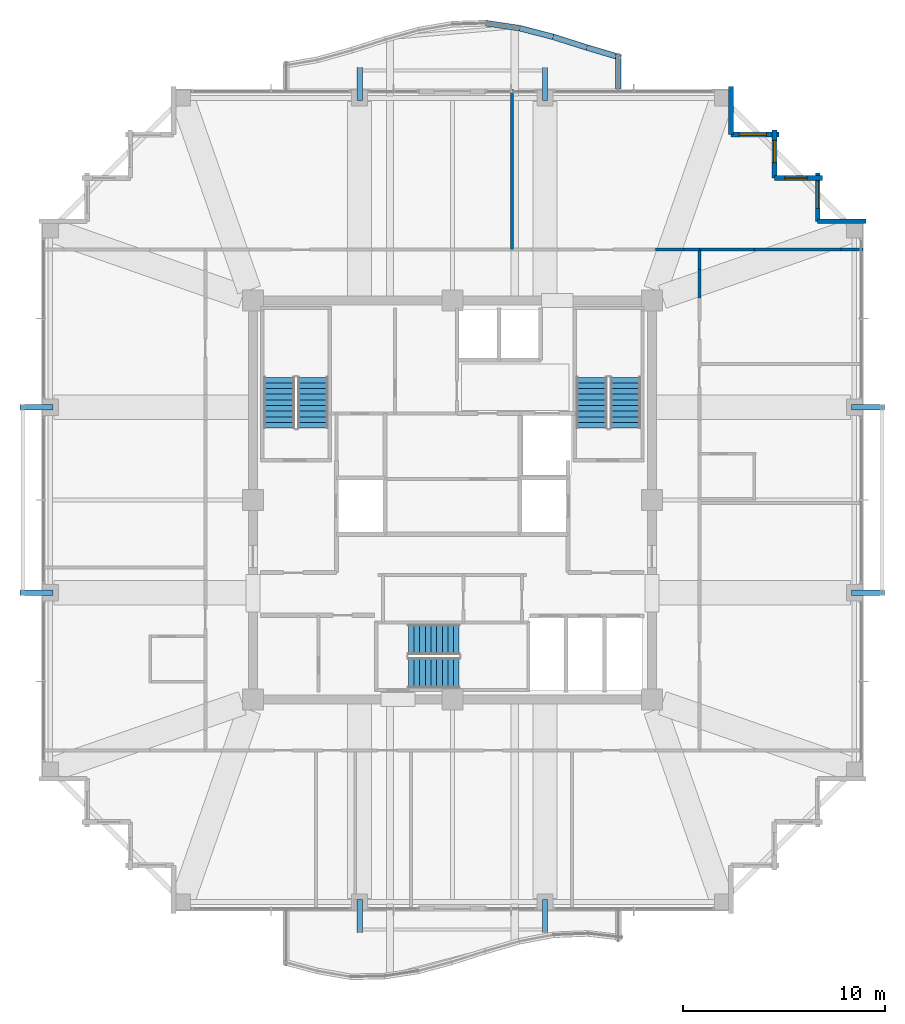
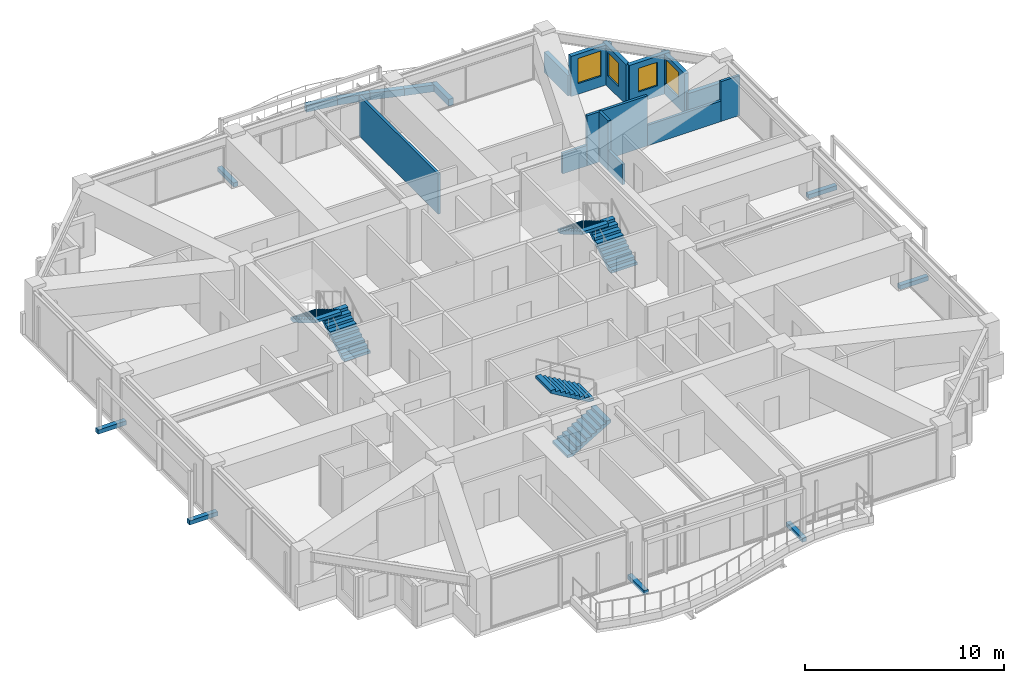
# One storey, part 35 of 37: 19 walls, 8 discrete accessories, 6 stair flights, 4 windows, 4 openings, 3 elements without a shape of their own.
"""IFC4 building model written with IfcOpenShell, lengths in metres."""

import ifcopenshell
import ifcopenshell.guid

model = None  # the IFC model being written
_history = None  # IfcOwnerHistory: only IFC2X3 demands one
_inside = {}  # id of a spatial element -> (the spatial element, [elements in it])
_under = {}  # id of a project, library or spatial element -> (it, [spatial elements below it])
_declared = {}  # id of a project -> (the project, [libraries it declares])
_typed = {}  # id of a type object -> (the type object, [elements of that type])
_made_of = {}  # id of a material, layer set ... -> (it, [elements and type objects made of it])


def new_model(schema):
    """Start an empty IFC model of exactly this schema.

    Asked for "IFC4X3", IfcOpenShell would pick the latest addendum, in which some entities
    have other attributes; the version numbers below select the first issue.
    IFC2X3 requires an IfcOwnerHistory on every rooted entity: one is made here for all.
    """
    global model, _history
    if schema == "IFC4X3":
        model = ifcopenshell.file(schema_version=(4, 3, 0, 0))
    else:
        model = ifcopenshell.file(schema=schema)
    _inside.clear()
    _under.clear()
    _declared.clear()
    _typed.clear()
    _made_of.clear()
    _history = None
    if model.schema == "IFC2X3":
        org = make("IfcOrganization", Name="unknown")
        user = make(
            "IfcPersonAndOrganization",
            ThePerson=make("IfcPerson", FamilyName="unknown"),
            TheOrganization=org,
        )
        app = make(
            "IfcApplication",
            ApplicationDeveloper=org,
            Version="unknown",
            ApplicationFullName="unknown",
            ApplicationIdentifier="unknown",
        )
        _history = make(
            "IfcOwnerHistory",
            OwningUser=user,
            OwningApplication=app,
            ChangeAction="ADDED",
            CreationDate=0,
        )
    return model


def make(cls, **values):
    """One entity of the class cls with the attributes given. An attribute that is None is left unset."""
    return model.create_entity(
        cls, **{name: value for name, value in values.items() if value is not None}
    )


def rooted(cls, **values):
    """An entity with a GlobalId (a new one), such as an element, a storey or a relation."""
    return make(cls, GlobalId=ifcopenshell.guid.new(), OwnerHistory=_history, **values)


def si_unit(unit_type, name, prefix=None):
    """IfcSIUnit, for example si_unit("LENGTHUNIT", "METRE", prefix="MILLI")."""
    return make("IfcSIUnit", UnitType=unit_type, Prefix=prefix, Name=name)


def assignment(units):
    """IfcUnitAssignment: the units of a project."""
    return None if units is None else make("IfcUnitAssignment", Units=units)


def point(xyz):
    """IfcCartesianPoint."""
    return None if xyz is None else make("IfcCartesianPoint", Coordinates=xyz)


def direction(xyz):
    """IfcDirection."""
    return None if xyz is None else make("IfcDirection", DirectionRatios=xyz)


def frame(location, z_axis=None, x_axis=None):
    """IfcAxis2Placement3D, a coordinate frame: its origin and axes. An axis left out is left unset."""
    return make(
        "IfcAxis2Placement3D",
        Location=point(location),
        Axis=direction(z_axis),
        RefDirection=direction(x_axis),
    )


def frame_2d(location, x_axis=None):
    """IfcAxis2Placement2D, a coordinate frame in the plane: its origin and x axis."""
    return make(
        "IfcAxis2Placement2D", Location=point(location), RefDirection=direction(x_axis)
    )


def origin():
    """The frame at (0, 0, 0) with its axes left unset."""
    return frame((0.0, 0.0, 0.0))


def origin_2d():
    """The frame at (0, 0) in the plane with its x axis left unset."""
    return frame_2d((0.0, 0.0))


def place(relative_to, where):
    """IfcLocalPlacement: puts the frame where relative to a parent placement (None: the world)."""
    return make(
        "IfcLocalPlacement", PlacementRelTo=relative_to, RelativePlacement=where
    )


def context(
    kind, dimensions, precision=None, world=None, true_north=None, identifier=None
):
    """IfcGeometricRepresentationContext, for example the 3D "Model" context."""
    return make(
        "IfcGeometricRepresentationContext",
        ContextIdentifier=identifier,
        ContextType=kind,
        CoordinateSpaceDimension=dimensions,
        Precision=precision,
        WorldCoordinateSystem=world,
        TrueNorth=true_north,
    )


def subcontext(parent, identifier, kind, view, scale=None):
    """IfcGeometricRepresentationSubContext, for example "Body" below "Model"."""
    return make(
        "IfcGeometricRepresentationSubContext",
        ContextIdentifier=identifier,
        ContextType=kind,
        ParentContext=parent,
        TargetScale=scale,
        TargetView=view,
    )


def project(units=None, contexts=None):
    """IfcProject with its units and contexts."""
    return rooted(
        "IfcProject",
        Name="project",
        RepresentationContexts=contexts,
        UnitsInContext=assignment(units),
    )


def spatial(cls, under=None, at=None, **own):
    """A site, building, storey or space (cls), placed at a placement, below another one or the project."""
    s = rooted(cls, ObjectPlacement=at, **own)
    if under is not None:
        _under.setdefault(under.id(), (under, []))[1].append(s)
    return s


def polyline(points):
    """IfcPolyline through the points."""
    return make("IfcPolyline", Points=[point(p) for p in points])


def profile(cls, at=None, kind="AREA", **sizes):
    """A parametric profile (cls). Its sizes go by their IFC names, for example OverallWidth=200.0."""
    return make(cls, ProfileType=kind, Position=at, **sizes)


def rectangle(**sizes):
    """IfcRectangleProfileDef."""
    return profile("IfcRectangleProfileDef", **sizes)


def outline(outer, holes=None, kind="AREA"):
    """IfcArbitraryClosedProfileDef: a profile drawn as a closed curve; with holes, ...WithVoids."""
    if holes is None:
        return make("IfcArbitraryClosedProfileDef", ProfileType=kind, OuterCurve=outer)
    return make(
        "IfcArbitraryProfileDefWithVoids",
        ProfileType=kind,
        OuterCurve=outer,
        InnerCurves=holes,
    )


def extrude(swept, where, along, depth):
    """IfcExtrudedAreaSolid: the profile swept, set in the frame where, extruded along a direction by depth."""
    return make(
        "IfcExtrudedAreaSolid",
        SweptArea=swept,
        Position=where,
        ExtrudedDirection=direction(along),
        Depth=depth,
    )


def shape(context_of_items, identifier, shape_type, items):
    """IfcShapeRepresentation: the items that make up one representation, for example the "Body"."""
    return make(
        "IfcShapeRepresentation",
        ContextOfItems=context_of_items,
        RepresentationIdentifier=identifier,
        RepresentationType=shape_type,
        Items=items,
    )


def material(Name=None, Category=None):
    """IfcMaterial."""
    return make("IfcMaterial", Name=Name, Category=Category)


def layer(
    of_material, thickness, ventilated=None, Name=None, Category=None, Priority=None
):
    """IfcMaterialLayer: one layer of a wall or slab, of a material (None: an air gap)."""
    return make(
        "IfcMaterialLayer",
        Material=of_material,
        LayerThickness=thickness,
        IsVentilated=ventilated,
        Name=Name,
        Category=Category,
        Priority=Priority,
    )


def layer_set(layers, Name=None):
    """IfcMaterialLayerSet."""
    return make("IfcMaterialLayerSet", MaterialLayers=layers, LayerSetName=Name)


def made_of(thing, what):
    """Note that an element or type object is made of a material, layer set ...; save() writes the relation."""
    if what is not None:
        _made_of.setdefault(what.id(), (what, []))[1].append(thing)
    return thing


def type_object(cls, material=None, **own):
    """A type object (cls), such as IfcWallType, which elements share."""
    return made_of(rooted(cls, **own), material)


def element(
    cls,
    number,
    at=None,
    inside=None,
    cuts=None,
    type_object=None,
    material=None,
    context=None,
    identifier="Body",
    shape_type=None,
    held_by="IfcProductDefinitionShape",
    body=None,
    shapes=None,
    **own,
):
    """One element of the class cls, such as IfcWall. Its Tag is "e" and its number.

    at: its placement. inside: the storey or other place that contains it. cuts: it is an
    opening in that element (IfcRelVoidsElement). A single representation is given by context,
    identifier, shape_type and body (its items); several are given by shapes. held_by: the class
    of the entity that holds the representations. save() writes the other relations.
    """
    e = rooted(cls, Tag="e%d" % number, ObjectPlacement=at, **own)
    if body is not None:
        shapes = [shape(context, identifier, shape_type, body)]
    if shapes is not None:
        e.Representation = make(held_by, Representations=shapes)
    if inside is not None:
        _inside.setdefault(inside.id(), (inside, []))[1].append(e)
    if cuts is not None:
        rooted(
            "IfcRelVoidsElement", RelatingBuildingElement=cuts, RelatedOpeningElement=e
        )
    if type_object is not None:
        _typed.setdefault(type_object.id(), (type_object, []))[1].append(e)
    return made_of(e, material)


def fill(opening, filler):
    """IfcRelFillsElement: the door or window that sits in an opening."""
    return rooted(
        "IfcRelFillsElement",
        RelatingOpeningElement=opening,
        RelatedBuildingElement=filler,
    )


def aggregate(whole, parts):
    """IfcRelAggregates: a whole, such as a stair, and the parts it consists of."""
    return rooted("IfcRelAggregates", RelatingObject=whole, RelatedObjects=parts)


def save(model, path):
    """Write the relations noted so far, then the file.

    IfcRelAggregates (storeys below a building ...), IfcRelContainedInSpatialStructure (elements
    in a storey), IfcRelDefinesByType, IfcRelAssociatesMaterial and IfcRelDeclares: one each for
    every whole, place, type object, material and project.
    """
    for whole, parts in _under.values():
        aggregate(whole, parts)
    for where, things in _inside.values():
        rooted(
            "IfcRelContainedInSpatialStructure",
            RelatedElements=things,
            RelatingStructure=where,
        )
    for kind, things in _typed.values():
        rooted("IfcRelDefinesByType", RelatedObjects=things, RelatingType=kind)
    for what, things in _made_of.values():
        rooted("IfcRelAssociatesMaterial", RelatedObjects=things, RelatingMaterial=what)
    for by, libraries in _declared.values():
        rooted("IfcRelDeclares", RelatingContext=by, RelatedDefinitions=libraries)
    model.write(path)


model = new_model("IFC4")

# Units and contexts
model_context = context("Model", 3, precision=1e-05, world=origin(), true_north=direction((0.0, 1.0)))
body_context = subcontext(model_context, "Body", "Model", "MODEL_VIEW")
ifc_project = project(units=[si_unit("LENGTHUNIT", "METRE"), si_unit("AREAUNIT", "SQUARE_METRE"), si_unit("VOLUMEUNIT", "CUBIC_METRE"), si_unit("PLANEANGLEUNIT", "RADIAN"), si_unit("MASSUNIT", "GRAM", prefix="KILO")], contexts=[model_context])

# Site, building, storey
site_placement = place(None, origin())
site = spatial("IfcSite", under=ifc_project, at=site_placement, CompositionType="ELEMENT")
building_placement = place(site_placement, origin())
building = spatial("IfcBuilding", under=site, at=building_placement, Name="Kolvaren Belvedere", CompositionType="ELEMENT")
storey_placement = place(building_placement, frame((0.0, 0.0, 219.60009765625)))
storey = spatial("IfcBuildingStorey", under=building, at=storey_placement, Name="L64", CompositionType="ELEMENT", Elevation=219.60009765625)

# Walls
ifc_material_1 = material(Name="Gypsum fire-rated partition assembly", Category="gypsum")
ifc_layer_1 = layer(ifc_material_1, 0.14990234375)
ifc_layer_set_1 = layer_set([ifc_layer_1], Name="Gypsum fire-rated partition assembly")
wall_type_1 = type_object("IfcWallType", Name="WL-CORR-150", PredefinedType="PARTITIONING", material=ifc_layer_set_1)
wall_1_placement = place(storey_placement, frame((10.0693359375, 12.419921875, 0.0), z_axis=(0.0, 0.0, 1.0), x_axis=(1.0, 0.0, 0.0)))
element("IfcWall", 1, at=wall_1_placement, inside=storey, type_object=wall_type_1, Name="L64 North Corridor Wall", PredefinedType="PARTITIONING", context=body_context, shape_type="SweptSolid", body=[
    extrude(rectangle(XDim=1.416748046875, YDim=0.14990234375, at=frame_2d((0.70849609375, 0.0))), origin(), (0.0, 0.0, 1.0), 1.264892578125),
])
wall_2_placement = place(storey_placement, frame((11.486083984375, 12.419921875, 0.0), z_axis=(0.0, 0.0, 1.0), x_axis=(1.0, 0.0, 0.0)))
element("IfcWall", 2, at=wall_2_placement, inside=storey, type_object=wall_type_1, Name="L64 North Corridor Wall", PredefinedType="PARTITIONING", context=body_context, shape_type="SweptSolid", body=[
    extrude(rectangle(XDim=0.77392578125, YDim=0.14990234375, at=frame_2d((0.386962890625, 0.0))), origin(), (0.0, 0.0, 1.0), 3.079833984375),
])
wall_3_placement = place(storey_placement, frame((12.260009765625, 10.013671875, 0.0), z_axis=(0.0, 0.0, 1.0), x_axis=(0.0, 1.0, 0.0)))
element("IfcWall", 3, at=wall_3_placement, inside=storey, type_object=wall_type_1, Name="L64 East Corridor Wall", PredefinedType="PARTITIONING", context=body_context, shape_type="SweptSolid", body=[
    extrude(rectangle(XDim=1.416748046875, YDim=0.14990234375, at=frame_2d((0.70849609375, 0.0))), origin(), (0.0, 0.0, 1.0), 1.264892578125),
])
wall_4_placement = place(storey_placement, frame((12.260009765625, 11.430419921875, 0.0), z_axis=(0.0, 0.0, 1.0), x_axis=(0.0, 1.0, 0.0)))
element("IfcWall", 4, at=wall_4_placement, inside=storey, type_object=wall_type_1, Name="L64 East Corridor Wall", PredefinedType="PARTITIONING", context=body_context, shape_type="SweptSolid", body=[
    extrude(rectangle(XDim=0.989501953125, YDim=0.14990234375, at=frame_2d((0.49462890625, 0.0))), origin(), (0.0, 0.0, 1.0), 3.079833984375),
])
ifc_material_2 = material(Name="Insulated pale-metal facade wall assembly", Category="aluminium")
ifc_layer_2 = layer(ifc_material_2, 0.239990234375)
ifc_layer_set_2 = layer_set([ifc_layer_2], Name="Insulated pale-metal facade wall assembly")
wall_type_2 = type_object("IfcWallType", Name="WL-EXT-240", PredefinedType="STANDARD", material=ifc_layer_set_2)
wall_5_placement = place(storey_placement, frame((18.1298828125, 13.830078125, 0.0), z_axis=(0.0, 0.0, 1.0), x_axis=(1.0, 0.0, 0.0)))
element("IfcWall", 5, at=wall_5_placement, inside=storey, type_object=wall_type_2, Name="L64 Serrated Corner Facade Wall 9", PredefinedType="STANDARD", context=body_context, shape_type="SweptSolid", body=[
    extrude(rectangle(XDim=2.39013671875, YDim=0.239990234375, at=frame_2d((1.195068359375, 0.0))), origin(), (0.0, 0.0, 1.0), 1.27490234375),
])

# Wall, opening, window
wall_6_placement = place(storey_placement, frame((18.1298828125, 16.219970703125, 0.0), z_axis=(0.0, 0.0, 1.0), x_axis=(0.0, -1.0, 0.0)))
wall_6 = element("IfcWall", 6, at=wall_6_placement, inside=storey, type_object=wall_type_2, Name="L64 Serrated Corner Facade Wall 10", PredefinedType="STANDARD", context=body_context, shape_type="SweptSolid", body=[
    extrude(rectangle(XDim=2.389892578125, YDim=0.239990234375, at=frame_2d((1.19482421875, 0.0))), origin(), (0.0, 0.0, 1.0), 2.462890625),
])
opening_1_placement = place(wall_6_placement, frame((0.39990234375, 0.0, 0.64990234375)))
opening_1 = element("IfcOpeningElement", 7, at=opening_1_placement, cuts=wall_6, Name="Opening W-1350", PredefinedType="OPENING", context=body_context, shape_type="SweptSolid", body=[
    extrude(rectangle(XDim=1.35009765625, YDim=1.550048828125, at=frame_2d((0.675048828125, 0.77490234375))), frame((0.0, 0.1298828125, 0.0), z_axis=(0.0, -1.0, 0.0), x_axis=(1.0, 0.0, 0.0)), (0.0, 0.0, 1.0), 0.260009765625),
])
ifc_material_3 = material(Name="Low-iron triple insulated glass", Category="glass")
window_type_1 = type_object("IfcWindowType", Name="WN-CORN-1350", PartitioningType="SINGLE_PANEL", PredefinedType="WINDOW", material=ifc_material_3)
window_1_placement = place(opening_1_placement, origin())
window_1 = element("IfcWindow", 8, at=window_1_placement, inside=storey, type_object=window_type_1, Name="L64 Serrated Corner Vision Window 10", OverallHeight=1.550048828125, OverallWidth=1.35009765625, PartitioningType="SINGLE_PANEL", PredefinedType="WINDOW", context=body_context, shape_type="SweptSolid", body=[
    extrude(rectangle(XDim=1.35009765625, YDim=1.550048828125, at=frame_2d((0.675048828125, 0.77490234375))), frame((0.0, 0.030029296875, 0.0), z_axis=(0.0, -1.0, 0.0), x_axis=(1.0, 0.0, 0.0)), (0.0, 0.0, 1.0), 0.06005859375),
])
fill(opening_1, window_1)

wall_7_placement = place(storey_placement, frame((15.97998046875, 15.97998046875, 0.0), z_axis=(0.0, 0.0, 1.0), x_axis=(1.0, 0.0, 0.0)))
wall_7 = element("IfcWall", 9, at=wall_7_placement, inside=storey, type_object=wall_type_2, Name="L64 Serrated Corner Facade Wall 11", PredefinedType="STANDARD", context=body_context, shape_type="SweptSolid", body=[
    extrude(rectangle(XDim=2.39013671875, YDim=0.239990234375, at=frame_2d((1.195068359375, 0.0))), origin(), (0.0, 0.0, 1.0), 2.462890625),
])
opening_2_placement = place(wall_7_placement, frame((0.52490234375, 0.0, 0.64990234375)))
opening_2 = element("IfcOpeningElement", 10, at=opening_2_placement, cuts=wall_7, Name="Opening W-1100", PredefinedType="OPENING", context=body_context, shape_type="SweptSolid", body=[
    extrude(rectangle(XDim=1.10009765625, YDim=1.449951171875, at=frame_2d((0.550048828125, 0.72509765625))), frame((0.0, 0.1298828125, 0.0), z_axis=(0.0, -1.0, 0.0), x_axis=(1.0, 0.0, 0.0)), (0.0, 0.0, 1.0), 0.260009765625),
])
ifc_material_4 = material(Name="Low-iron triple insulated glass", Category="glass")
window_type_2 = type_object("IfcWindowType", Name="WN-CORN-1100", PartitioningType="SINGLE_PANEL", PredefinedType="WINDOW", material=ifc_material_4)
window_2_placement = place(opening_2_placement, origin())
window_2 = element("IfcWindow", 11, at=window_2_placement, inside=storey, type_object=window_type_2, Name="L64 Serrated Corner Vision Window 11", OverallHeight=1.449951171875, OverallWidth=1.10009765625, PartitioningType="SINGLE_PANEL", PredefinedType="WINDOW", context=body_context, shape_type="SweptSolid", body=[
    extrude(rectangle(XDim=1.10009765625, YDim=1.449951171875, at=frame_2d((0.550048828125, 0.72509765625))), frame((0.0, 0.030029296875, 0.0), z_axis=(0.0, -1.0, 0.0), x_axis=(1.0, 0.0, 0.0)), (0.0, 0.0, 1.0), 0.06005859375),
])
fill(opening_2, window_2)

wall_8_placement = place(storey_placement, frame((15.97998046875, 18.3701171875, 0.0), z_axis=(0.0, 0.0, 1.0), x_axis=(0.0, -1.0, 0.0)))
wall_8 = element("IfcWall", 12, at=wall_8_placement, inside=storey, type_object=wall_type_2, Name="L64 Serrated Corner Facade Wall 12", PredefinedType="STANDARD", context=body_context, shape_type="SweptSolid", body=[
    extrude(rectangle(XDim=2.39013671875, YDim=0.239990234375, at=frame_2d((1.195068359375, 0.0))), origin(), (0.0, 0.0, 1.0), 2.462890625),
])
opening_3_placement = place(wall_8_placement, frame((0.52490234375, 0.0, 0.64990234375)))
opening_3 = element("IfcOpeningElement", 13, at=opening_3_placement, cuts=wall_8, Name="Opening W-1100", PredefinedType="OPENING", context=body_context, shape_type="SweptSolid", body=[
    extrude(rectangle(XDim=1.10009765625, YDim=1.449951171875, at=frame_2d((0.550048828125, 0.72509765625))), frame((0.0, 0.1298828125, 0.0), z_axis=(0.0, -1.0, 0.0), x_axis=(1.0, 0.0, 0.0)), (0.0, 0.0, 1.0), 0.260009765625),
])
window_3_placement = place(opening_3_placement, origin())
window_3 = element("IfcWindow", 14, at=window_3_placement, inside=storey, type_object=window_type_2, Name="L64 Serrated Corner Vision Window 12", OverallHeight=1.449951171875, OverallWidth=1.10009765625, PartitioningType="SINGLE_PANEL", PredefinedType="WINDOW", context=body_context, shape_type="SweptSolid", body=[
    extrude(rectangle(XDim=1.10009765625, YDim=1.449951171875, at=frame_2d((0.550048828125, 0.72509765625))), frame((0.0, 0.030029296875, 0.0), z_axis=(0.0, -1.0, 0.0), x_axis=(1.0, 0.0, 0.0)), (0.0, 0.0, 1.0), 0.06005859375),
])
fill(opening_3, window_3)

wall_9_placement = place(storey_placement, frame((13.830078125, 18.1298828125, 0.0), z_axis=(0.0, 0.0, 1.0), x_axis=(1.0, 0.0, 0.0)))
wall_9 = element("IfcWall", 15, at=wall_9_placement, inside=storey, type_object=wall_type_2, Name="L64 Serrated Corner Facade Wall 13", PredefinedType="STANDARD", context=body_context, shape_type="SweptSolid", body=[
    extrude(rectangle(XDim=2.389892578125, YDim=0.239990234375, at=frame_2d((1.19482421875, 0.0))), origin(), (0.0, 0.0, 1.0), 2.462890625),
])
opening_4_placement = place(wall_9_placement, frame((0.39990234375, 0.0, 0.64990234375)))
opening_4 = element("IfcOpeningElement", 16, at=opening_4_placement, cuts=wall_9, Name="Opening W-1350", PredefinedType="OPENING", context=body_context, shape_type="SweptSolid", body=[
    extrude(rectangle(XDim=1.35009765625, YDim=1.550048828125, at=frame_2d((0.675048828125, 0.77490234375))), frame((0.0, 0.1298828125, 0.0), z_axis=(0.0, -1.0, 0.0), x_axis=(1.0, 0.0, 0.0)), (0.0, 0.0, 1.0), 0.260009765625),
])
window_4_placement = place(opening_4_placement, origin())
window_4 = element("IfcWindow", 17, at=window_4_placement, inside=storey, type_object=window_type_1, Name="L64 Serrated Corner Vision Window 13", OverallHeight=1.550048828125, OverallWidth=1.35009765625, PartitioningType="SINGLE_PANEL", PredefinedType="WINDOW", context=body_context, shape_type="SweptSolid", body=[
    extrude(rectangle(XDim=1.35009765625, YDim=1.550048828125, at=frame_2d((0.675048828125, 0.77490234375))), frame((0.0, 0.030029296875, 0.0), z_axis=(0.0, -1.0, 0.0), x_axis=(1.0, 0.0, 0.0)), (0.0, 0.0, 1.0), 0.06005859375),
])
fill(opening_4, window_4)

# Walls
wall_10_placement = place(storey_placement, frame((13.830078125, 20.52001953125, 0.0), z_axis=(0.0, 0.0, 1.0), x_axis=(0.0, -1.0, 0.0)))
element("IfcWall", 18, at=wall_10_placement, inside=storey, type_object=wall_type_2, Name="L64 Serrated Corner Facade Wall 14", PredefinedType="STANDARD", context=body_context, shape_type="SweptSolid", body=[
    extrude(rectangle(XDim=2.39013671875, YDim=0.239990234375, at=frame_2d((1.195068359375, 0.0))), origin(), (0.0, 0.0, 1.0), 1.27490234375),
])
ifc_material_5 = material(Name="Gypsum acoustic partition assembly", Category="gypsum")
ifc_layer_3 = layer(ifc_material_5, 0.14990234375)
ifc_layer_set_3 = layer_set([ifc_layer_3], Name="Gypsum acoustic partition assembly")
wall_type_3 = type_object("IfcWallType", Name="WL-PART-150", PredefinedType="PARTITIONING", material=ifc_layer_set_3)
wall_11_placement = place(storey_placement, frame((12.260009765625, 12.419921875, 0.0), z_axis=(0.0, 0.0, 1.0), x_axis=(1.0, 0.0, 0.0)))
element("IfcWall", 19, at=wall_11_placement, inside=storey, type_object=wall_type_3, Name="L64 Wing Divider PW-L64-QNE", PredefinedType="PARTITIONING", context=body_context, shape_type="SweptSolid", body=[
    extrude(rectangle(XDim=2.7353515625, YDim=0.14990234375, at=frame_2d((1.36767578125, 0.0))), origin(), (0.0, 0.0, 1.0), 3.079833984375),
])
wall_12_placement = place(storey_placement, frame((14.995361328125, 12.419921875, 0.0), z_axis=(0.0, 0.0, 1.0), x_axis=(1.0, 0.0, 0.0)))
element("IfcWall", 20, at=wall_12_placement, inside=storey, type_object=wall_type_3, Name="L64 Wing Divider PW-L64-QNE", PredefinedType="PARTITIONING", context=body_context, shape_type="SweptSolid", body=[
    extrude(rectangle(XDim=4.28125, YDim=0.14990234375, at=frame_2d((2.140625, 0.0))), origin(), (0.0, 0.0, 1.0), 1.264892578125),
])
wall_13_placement = place(storey_placement, frame((19.276611328125, 12.419921875, 0.0), z_axis=(0.0, 0.0, 1.0), x_axis=(1.0, 0.0, 0.0)))
element("IfcWall", 21, at=wall_13_placement, inside=storey, type_object=wall_type_3, Name="L64 Wing Divider PW-L64-QNE", PredefinedType="PARTITIONING", context=body_context, shape_type="SweptSolid", body=[
    extrude(rectangle(XDim=1.103271484375, YDim=0.14990234375, at=frame_2d((0.5517578125, 0.0))), origin(), (0.0, 0.0, 1.0), 2.452880859375),
])
wall_14_placement = place(storey_placement, frame((2.9560546875, 12.419921875, 0.0), z_axis=(0.0, 0.0, 1.0), x_axis=(0.0, 1.0, 0.0)))
element("IfcWall", 22, at=wall_14_placement, inside=storey, type_object=wall_type_3, Name="L64 North Suite Demising Wall 1", PredefinedType="PARTITIONING", context=body_context, shape_type="SweptSolid", body=[
    extrude(rectangle(XDim=7.9599609375, YDim=0.14990234375, at=frame_2d((3.97998046875, 0.0))), origin(), (0.0, 0.0, 1.0), 2.452880859375),
])
ifc_material_6 = material(Name="Precast concrete C40/50", Category="concrete")
ifc_layer_4 = layer(ifc_material_6, 0.300048828125)
ifc_layer_set_4 = layer_set([ifc_layer_4], Name="Precast concrete C40/50")
wall_type_4 = type_object("IfcWallType", Name="WL-PLANTER-300", PredefinedType="PARAPET", material=ifc_layer_set_4)
wall_15_placement = place(storey_placement, frame((8.239990234375, 20.39990234375, -0.0400390625), z_axis=(0.0, 0.0, 1.0), x_axis=(0.0, 1.0, 0.0)))
element("IfcWall", 23, at=wall_15_placement, inside=storey, type_object=wall_type_4, Name="L64 Precast Structural Planter Wall BAL-N-11", PredefinedType="PARAPET", context=body_context, shape_type="SweptSolid", body=[
    extrude(rectangle(XDim=1.705322265625, YDim=0.280029296875, at=frame_2d((0.8525390625, 0.0))), origin(), (0.0, 0.0, 1.0), 0.419921875),
])
wall_16_placement = place(storey_placement, frame((8.3544921875, 21.951904296875, -0.0400390625), z_axis=(0.0, 0.0, 1.0), x_axis=(-0.958574394638, 0.284842289601, 0.0)))
element("IfcWall", 24, at=wall_16_placement, inside=storey, type_object=wall_type_4, Name="L64 Precast Structural Planter Wall BAL-N-12", PredefinedType="PARAPET", context=body_context, shape_type="SweptSolid", body=[
    extrude(rectangle(XDim=1.752685546875, YDim=0.280029296875, at=frame_2d((0.87646484375, 0.0))), origin(), (0.0, 0.0, 1.0), 0.419921875),
])
wall_17_placement = place(storey_placement, frame((6.671630859375, 22.4521484375, -0.0400390625), z_axis=(0.0, 0.0, 1.0), x_axis=(-0.953181954832, 0.302397356111, 0.0)))
element("IfcWall", 25, at=wall_17_placement, inside=storey, type_object=wall_type_4, Name="L64 Precast Structural Planter Wall BAL-N-13", PredefinedType="PARAPET", context=body_context, shape_type="SweptSolid", body=[
    extrude(rectangle(XDim=1.762451171875, YDim=0.280029296875, at=frame_2d((0.88134765625, 0.0))), origin(), (0.0, 0.0, 1.0), 0.419921875),
])
wall_18_placement = place(storey_placement, frame((5.0, 22.982666015625, -0.0400390625), z_axis=(0.0, 0.0, 1.0), x_axis=(-0.968141031826, 0.250405556038, 0.0)))
element("IfcWall", 26, at=wall_18_placement, inside=storey, type_object=wall_type_4, Name="L64 Precast Structural Planter Wall BAL-N-14", PredefinedType="PARAPET", context=body_context, shape_type="SweptSolid", body=[
    extrude(rectangle(XDim=1.7353515625, YDim=0.280029296875, at=frame_2d((0.86767578125, 0.0))), origin(), (0.0, 0.0, 1.0), 0.419921875),
])
wall_19_placement = place(storey_placement, frame((3.336669921875, 23.413818359375, -0.0400390625), z_axis=(0.0, 0.0, 1.0), x_axis=(-0.989295127716, 0.145928579368, 0.0)))
element("IfcWall", 27, at=wall_19_placement, inside=storey, type_object=wall_type_4, Name="L64 Precast Structural Planter Wall BAL-N-15", PredefinedType="PARAPET", context=body_context, shape_type="SweptSolid", body=[
    extrude(rectangle(XDim=1.697998046875, YDim=0.280029296875, at=frame_2d((0.84912109375, 0.0))), origin(), (0.0, 0.0, 1.0), 0.419921875),
])

# Stair, stair flights
ifc_material_7 = material(Name="Concrete C50/60", Category="concrete")
stair_type = type_object("IfcStairType", Name="ST-CORE-1520", PredefinedType="HALF_TURN_STAIR", material=ifc_material_7)
stair_1_placement = place(storey_placement, origin())
stair_1 = element("IfcStair", 28, at=stair_1_placement, inside=storey, type_object=stair_type, Name="L64 Protected Exit Stair ST-1", PredefinedType="HALF_TURN_STAIR")
ifc_material_8 = material(Name="Concrete C50/60", Category="concrete")
stair_flight_type = type_object("IfcStairFlightType", Name="SF-STR-1520", PredefinedType="STRAIGHT", material=ifc_material_8)
stair_flight_1_placement = place(storey_placement, frame((-6.919921875, 3.570068359375, 0.0), z_axis=(0.0, 0.0, 1.0), x_axis=(0.0, 1.0, 0.0)))
stair_flight_1 = element("IfcStairFlight", 29, at=stair_flight_1_placement, type_object=stair_flight_type, Name="ST-1 flight 1", NumberOfRisers=10, NumberOfTreads=9, PredefinedType="STRAIGHT", RiserHeight=0.165, TreadLength=0.28, context=body_context, shape_type="SweptSolid", body=[
    extrude(outline(polyline([(0.0, 0.0), (0.0, 0.1650390625), (0.280029296875, 0.1650390625), (0.280029296875, 0.330078125), (0.56005859375, 0.330078125), (0.56005859375, 0.4951171875), (0.840087890625, 0.4951171875), (0.840087890625, 0.659912109375), (1.1201171875, 0.659912109375), (1.1201171875, 0.824951171875), (1.39990234375, 0.824951171875), (1.39990234375, 0.989990234375), (1.679931640625, 0.989990234375), (1.679931640625, 1.155029296875), (1.9599609375, 1.155029296875), (1.9599609375, 1.320068359375), (2.239990234375, 1.320068359375), (2.239990234375, 1.485107421875), (2.52001953125, 1.485107421875), (2.52001953125, 1.64990234375), (2.52001953125, 1.31103515625), (0.295166015625, 0.0), (0.0, 0.0)])), frame((0.0, 0.760009765625, 0.0), z_axis=(0.0, -1.0, 0.0), x_axis=(1.0, 0.0, 0.0)), (0.0, 0.0, 1.0), 1.52001953125),
])
stair_flight_2_placement = place(storey_placement, frame((-8.590087890625, 6.090087890625, 1.64990234375), z_axis=(0.0, 0.0, 1.0), x_axis=(0.0, -1.0, 0.0)))
stair_flight_2 = element("IfcStairFlight", 30, at=stair_flight_2_placement, type_object=stair_flight_type, Name="ST-1 flight 2", NumberOfRisers=10, NumberOfTreads=9, PredefinedType="STRAIGHT", RiserHeight=0.165, TreadLength=0.28, context=body_context, shape_type="SweptSolid", body=[
    extrude(outline(polyline([(0.0, 0.0), (0.0, 0.1650390625), (0.280029296875, 0.1650390625), (0.280029296875, 0.330078125), (0.56005859375, 0.330078125), (0.56005859375, 0.4951171875), (0.840087890625, 0.4951171875), (0.840087890625, 0.659912109375), (1.1201171875, 0.659912109375), (1.1201171875, 0.824951171875), (1.39990234375, 0.824951171875), (1.39990234375, 0.989990234375), (1.679931640625, 0.989990234375), (1.679931640625, 1.155029296875), (1.9599609375, 1.155029296875), (1.9599609375, 1.320068359375), (2.239990234375, 1.320068359375), (2.239990234375, 1.485107421875), (2.52001953125, 1.485107421875), (2.52001953125, 1.64990234375), (2.52001953125, 1.31103515625), (0.295166015625, 0.0), (0.0, 0.0)])), frame((0.0, 0.760009765625, 0.0), z_axis=(0.0, -1.0, 0.0), x_axis=(1.0, 0.0, 0.0)), (0.0, 0.0, 1.0), 1.52001953125),
])
aggregate(stair_1, [stair_flight_1, stair_flight_2])

stair_2_placement = place(storey_placement, origin())
stair_2 = element("IfcStair", 31, at=stair_2_placement, inside=storey, type_object=stair_type, Name="L64 Protected Exit Stair ST-2", PredefinedType="HALF_TURN_STAIR")
stair_flight_3_placement = place(storey_placement, frame((8.590087890625, 3.570068359375, 0.0), z_axis=(0.0, 0.0, 1.0), x_axis=(0.0, 1.0, 0.0)))
stair_flight_3 = element("IfcStairFlight", 32, at=stair_flight_3_placement, type_object=stair_flight_type, Name="ST-2 flight 1", NumberOfRisers=10, NumberOfTreads=9, PredefinedType="STRAIGHT", RiserHeight=0.165, TreadLength=0.28, context=body_context, shape_type="SweptSolid", body=[
    extrude(outline(polyline([(0.0, 0.0), (0.0, 0.1650390625), (0.280029296875, 0.1650390625), (0.280029296875, 0.330078125), (0.56005859375, 0.330078125), (0.56005859375, 0.4951171875), (0.840087890625, 0.4951171875), (0.840087890625, 0.659912109375), (1.1201171875, 0.659912109375), (1.1201171875, 0.824951171875), (1.39990234375, 0.824951171875), (1.39990234375, 0.989990234375), (1.679931640625, 0.989990234375), (1.679931640625, 1.155029296875), (1.9599609375, 1.155029296875), (1.9599609375, 1.320068359375), (2.239990234375, 1.320068359375), (2.239990234375, 1.485107421875), (2.52001953125, 1.485107421875), (2.52001953125, 1.64990234375), (2.52001953125, 1.31103515625), (0.295166015625, 0.0), (0.0, 0.0)])), frame((0.0, 0.760009765625, 0.0), z_axis=(0.0, -1.0, 0.0), x_axis=(1.0, 0.0, 0.0)), (0.0, 0.0, 1.0), 1.52001953125),
])
stair_flight_4_placement = place(storey_placement, frame((6.919921875, 6.090087890625, 1.64990234375), z_axis=(0.0, 0.0, 1.0), x_axis=(0.0, -1.0, 0.0)))
stair_flight_4 = element("IfcStairFlight", 33, at=stair_flight_4_placement, type_object=stair_flight_type, Name="ST-2 flight 2", NumberOfRisers=10, NumberOfTreads=9, PredefinedType="STRAIGHT", RiserHeight=0.165, TreadLength=0.28, context=body_context, shape_type="SweptSolid", body=[
    extrude(outline(polyline([(0.0, 0.0), (0.0, 0.1650390625), (0.280029296875, 0.1650390625), (0.280029296875, 0.330078125), (0.56005859375, 0.330078125), (0.56005859375, 0.4951171875), (0.840087890625, 0.4951171875), (0.840087890625, 0.659912109375), (1.1201171875, 0.659912109375), (1.1201171875, 0.824951171875), (1.39990234375, 0.824951171875), (1.39990234375, 0.989990234375), (1.679931640625, 0.989990234375), (1.679931640625, 1.155029296875), (1.9599609375, 1.155029296875), (1.9599609375, 1.320068359375), (2.239990234375, 1.320068359375), (2.239990234375, 1.485107421875), (2.52001953125, 1.485107421875), (2.52001953125, 1.64990234375), (2.52001953125, 1.31103515625), (0.295166015625, 0.0), (0.0, 0.0)])), frame((0.0, 0.760009765625, 0.0), z_axis=(0.0, -1.0, 0.0), x_axis=(1.0, 0.0, 0.0)), (0.0, 0.0, 1.0), 1.52001953125),
])
aggregate(stair_2, [stair_flight_3, stair_flight_4])

stair_3_placement = place(storey_placement, origin())
stair_3 = element("IfcStair", 34, at=stair_3_placement, inside=storey, type_object=stair_type, Name="L64 Protected Exit Stair ST-3", PredefinedType="HALF_TURN_STAIR")
stair_flight_5_placement = place(storey_placement, frame((-2.179931640625, -8.590087890625, 0.0), z_axis=(0.0, 0.0, 1.0), x_axis=(1.0, 0.0, 0.0)))
stair_flight_5 = element("IfcStairFlight", 35, at=stair_flight_5_placement, type_object=stair_flight_type, Name="ST-3 flight 1", NumberOfRisers=10, NumberOfTreads=9, PredefinedType="STRAIGHT", RiserHeight=0.165, TreadLength=0.28, context=body_context, shape_type="SweptSolid", body=[
    extrude(outline(polyline([(0.0, 0.0), (0.0, 0.1650390625), (0.280029296875, 0.1650390625), (0.280029296875, 0.330078125), (0.56005859375, 0.330078125), (0.56005859375, 0.4951171875), (0.840087890625, 0.4951171875), (0.840087890625, 0.659912109375), (1.1201171875, 0.659912109375), (1.1201171875, 0.824951171875), (1.39990234375, 0.824951171875), (1.39990234375, 0.989990234375), (1.679931640625, 0.989990234375), (1.679931640625, 1.155029296875), (1.9599609375, 1.155029296875), (1.9599609375, 1.320068359375), (2.239990234375, 1.320068359375), (2.239990234375, 1.485107421875), (2.52001953125, 1.485107421875), (2.52001953125, 1.64990234375), (2.52001953125, 1.31103515625), (0.295166015625, 0.0), (0.0, 0.0)])), frame((0.0, 0.760009765625, 0.0), z_axis=(0.0, -1.0, 0.0), x_axis=(1.0, 0.0, 0.0)), (0.0, 0.0, 1.0), 1.52001953125),
])
stair_flight_6_placement = place(storey_placement, frame((0.340087890625, -6.919921875, 1.64990234375), z_axis=(0.0, 0.0, 1.0), x_axis=(-1.0, 0.0, 0.0)))
stair_flight_6 = element("IfcStairFlight", 36, at=stair_flight_6_placement, type_object=stair_flight_type, Name="ST-3 flight 2", NumberOfRisers=10, NumberOfTreads=9, PredefinedType="STRAIGHT", RiserHeight=0.165, TreadLength=0.28, context=body_context, shape_type="SweptSolid", body=[
    extrude(outline(polyline([(0.0, 0.0), (0.0, 0.1650390625), (0.280029296875, 0.1650390625), (0.280029296875, 0.330078125), (0.56005859375, 0.330078125), (0.56005859375, 0.4951171875), (0.840087890625, 0.4951171875), (0.840087890625, 0.659912109375), (1.1201171875, 0.659912109375), (1.1201171875, 0.824951171875), (1.39990234375, 0.824951171875), (1.39990234375, 0.989990234375), (1.679931640625, 0.989990234375), (1.679931640625, 1.155029296875), (1.9599609375, 1.155029296875), (1.9599609375, 1.320068359375), (2.239990234375, 1.320068359375), (2.239990234375, 1.485107421875), (2.52001953125, 1.485107421875), (2.52001953125, 1.64990234375), (2.52001953125, 1.31103515625), (0.295166015625, 0.0), (0.0, 0.0)])), frame((0.0, 0.760009765625, 0.0), z_axis=(0.0, -1.0, 0.0), x_axis=(1.0, 0.0, 0.0)), (0.0, 0.0, 1.0), 1.52001953125),
])
aggregate(stair_3, [stair_flight_5, stair_flight_6])

# Discrete accessories
ifc_material_9 = material(Name="Structural steel ASTM A572 Grade 50", Category="steel")
discrete_accessory_type = type_object("IfcDiscreteAccessoryType", Name="BRK-1 Steel Facade Support Bracket", PredefinedType="BRACKET", material=ifc_material_9)
for number, where, z_axis, x_axis, name in (
    (37, (-4.60009765625, 20.635009765625, -0.169921875), (0.0, 0.0, 1.0), (0.0, 1.0, 0.0), "L64 Picture-Frame Outrigger Cleat Bracket N1"),
    (38, (4.60009765625, 20.635009765625, -0.169921875), (0.0, 0.0, 1.0), (0.0, 1.0, 0.0), "L64 Picture-Frame Outrigger Cleat Bracket N2"),
    (39, (4.60009765625, -20.635009765625, -0.169921875), (0.0, 0.0, 1.0), (0.0, 1.0, 0.0), "L64 Picture-Frame Outrigger Cleat Bracket S1"),
    (40, (-4.60009765625, -20.635009765625, -0.169921875), (0.0, 0.0, 1.0), (0.0, 1.0, 0.0), "L64 Picture-Frame Outrigger Cleat Bracket S2"),
    (41, (20.635009765625, 4.60009765625, -0.169921875), (0.0, 0.0, 1.0), (1.0, 0.0, 0.0), "L64 Picture-Frame Outrigger Cleat Bracket E1"),
    (42, (20.635009765625, -4.60009765625, -0.169921875), (0.0, 0.0, 1.0), (1.0, 0.0, 0.0), "L64 Picture-Frame Outrigger Cleat Bracket E2"),
    (43, (-20.635009765625, -4.60009765625, -0.169921875), (0.0, 0.0, 1.0), (1.0, 0.0, 0.0), "L64 Picture-Frame Outrigger Cleat Bracket W1"),
    (44, (-20.635009765625, 4.60009765625, -0.169921875), (0.0, 0.0, 1.0), (1.0, 0.0, 0.0), "L64 Picture-Frame Outrigger Cleat Bracket W2"),
):
    element("IfcDiscreteAccessory", number, at=place(storey_placement, frame(where, z_axis=z_axis, x_axis=x_axis)), inside=storey, type_object=discrete_accessory_type, Name=name, PredefinedType="BRACKET", context=body_context, shape_type="SweptSolid", body=[
        extrude(rectangle(XDim=1.639892578125, YDim=0.260009765625, at=origin_2d()), origin(), (0.0, 0.0, 1.0), 0.260009765625),
    ])

save(model, "model.ifc")
